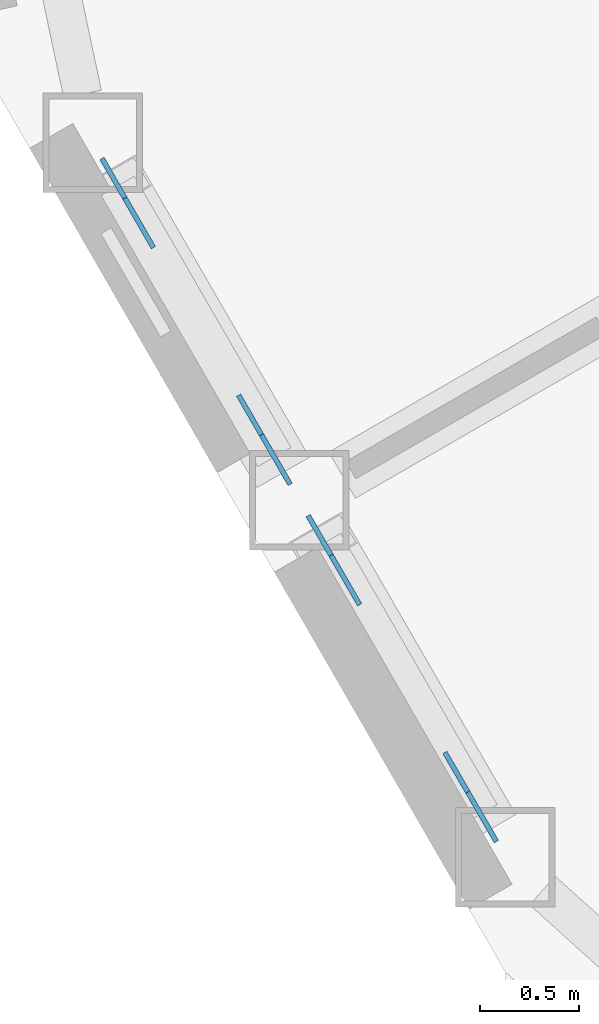
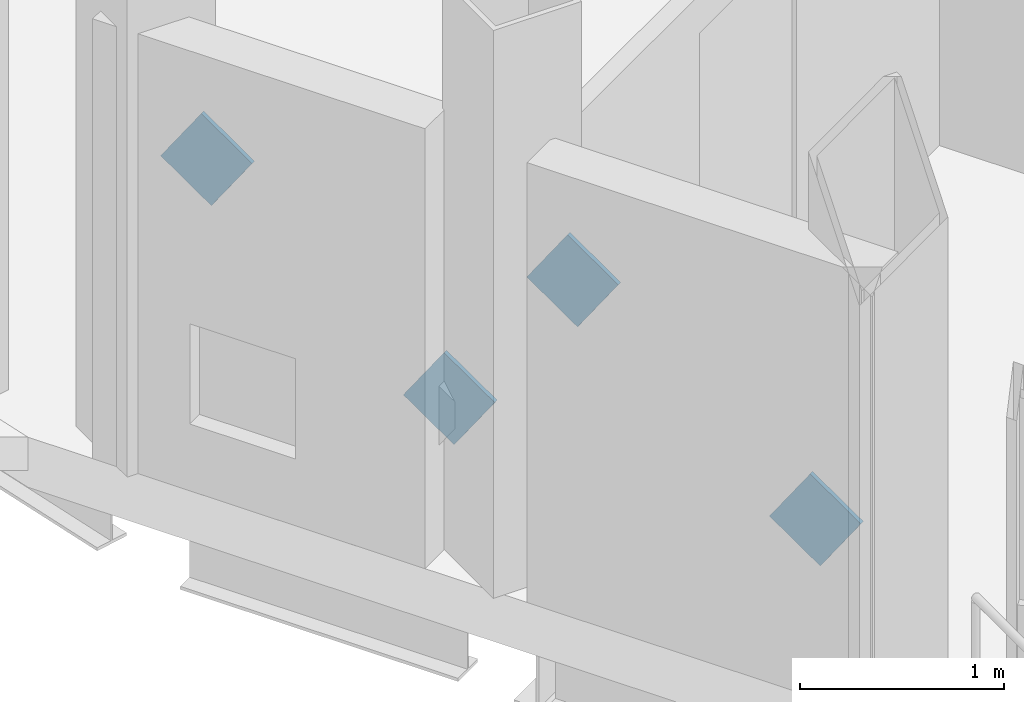
# One storey, part 19 of 26: 4 discrete accessories.
"""IFC4 building model written with IfcOpenShell, lengths in metres."""

from ifc_helpers import new_model, si_unit, direction, frame, origin, origin_2d, place, context, subcontext, project, spatial, rectangle, extrude, material, material_profile, profile_set, type_object, element, save


model = new_model("IFC4")

# Units and contexts
model_context = context("Model", 3, precision=1e-05, world=origin(), true_north=direction((0.0, 1.0)))
body_context = subcontext(model_context, "Body", "Model", "MODEL_VIEW")
ifc_project = project(units=[si_unit("LENGTHUNIT", "METRE"), si_unit("AREAUNIT", "SQUARE_METRE"), si_unit("VOLUMEUNIT", "CUBIC_METRE"), si_unit("PLANEANGLEUNIT", "RADIAN"), si_unit("MASSUNIT", "GRAM", prefix="KILO")], contexts=[model_context])

# Site, building, storey
site_placement = place(None, origin())
site = spatial("IfcSite", under=ifc_project, at=site_placement, CompositionType="ELEMENT")
building_placement = place(site_placement, origin())
building = spatial("IfcBuilding", under=site, at=building_placement, Name="Cormorant Prow Tower", CompositionType="ELEMENT")
storey_placement = place(building_placement, frame((0.0, 0.0, 378.0)))
storey = spatial("IfcBuildingStorey", under=building, at=storey_placement, Name="L85", CompositionType="ELEMENT", Elevation=378.0)

# Discrete accessories
ifc_material = material(Name="Structural steel ASTM A500 Gr C", Category="steel")
ifc_material_profile = material_profile(ifc_material, rectangle(XDim=0.02490234375, YDim=0.405029296875, at=origin_2d()), Name="Gusset plate 25x405")
ifc_profile_set = profile_set([ifc_material_profile], Name="Structural steel ASTM A500 Gr C")
discrete_accessory_type = type_object("IfcDiscreteAccessoryType", Name="Gusset plate 25x405", PredefinedType="BRACKET", material=ifc_profile_set)
for number, where, z_axis, x_axis, name in (
    (1, (-27.28369140625, -15.182373046875, 0.941162109375), (0.411595697368, -0.712269842394, -0.568560158228), (0.865832418869, 0.500334110806, 0.0), "Gusset plate GP3 L85.WSW00.g0"),
    (2, (-27.8271484375, -14.2412109375, 1.692626953125), (-0.411016012482, 0.712474276306, 0.568723344945), (-0.866199709737, -0.499697971631, 0.0), "Gusset plate GP3 L85.WSW00.g1"),
    (3, (-26.246826171875, -16.978271484375, 0.941162109375), (0.411595697368, -0.712269842394, -0.568560158228), (0.865832418869, 0.500334110806, 0.0), "Gusset plate GP3 L85.WSW01.g0"),
    (4, (-26.7900390625, -16.037109375, 1.692626953125), (-0.411595697368, 0.712269842394, 0.568560158228), (-0.865832418869, -0.500334110806, 0.0), "Gusset plate GP3 L85.WSW01.g1"),
):
    element("IfcDiscreteAccessory", number, at=place(storey_placement, frame(where, z_axis=z_axis, x_axis=x_axis)), inside=storey, type_object=discrete_accessory_type, Name=name, PredefinedType="BRACKET", context=body_context, shape_type="SweptSolid", body=[
        extrude(rectangle(XDim=0.02490234375, YDim=0.405029296875, at=origin_2d()), origin(), (0.0, 0.0, 1.0), 0.349853515625),
    ])

save(model, "model.ifc")
